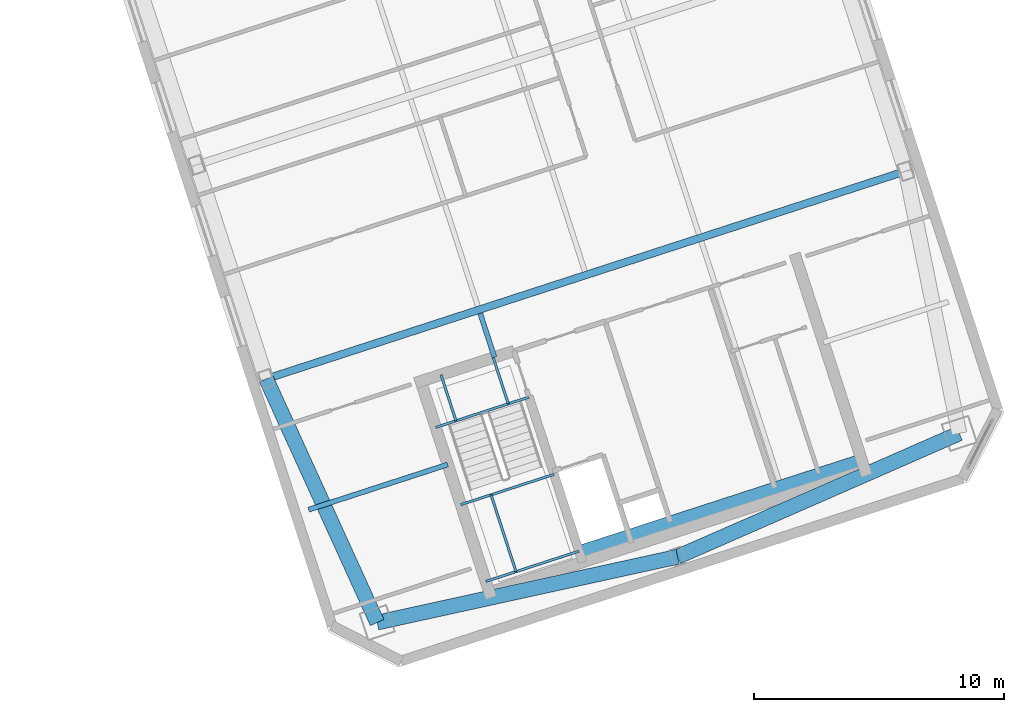
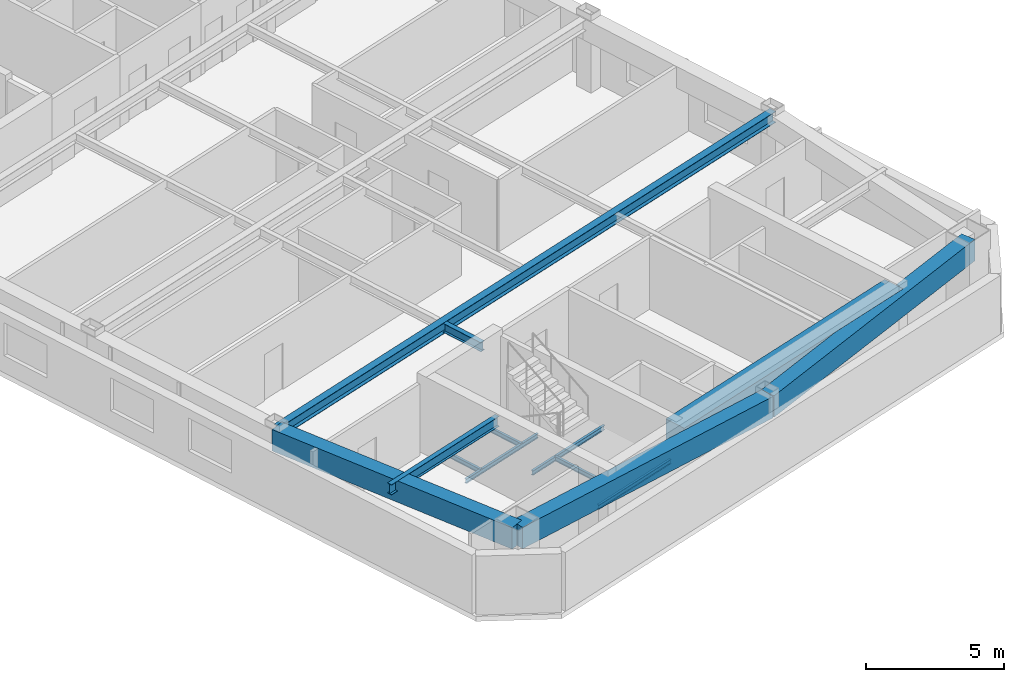
# One storey, part 9 of 20: 13 beams.
"""IFC4 building model written with IfcOpenShell, lengths in metres."""

from ifc_helpers import new_model, si_unit, direction, frame, origin, origin_2d, place, context, subcontext, project, spatial, rectangle, i_section, extrude, material, material_profile, profile_set, type_object, element, save


model = new_model("IFC4")

# Units and contexts
model_context = context("Model", 3, precision=1e-05, world=origin(), true_north=direction((0.0, 1.0)))
body_context = subcontext(model_context, "Body", "Model", "MODEL_VIEW")
ifc_project = project(units=[si_unit("LENGTHUNIT", "METRE"), si_unit("AREAUNIT", "SQUARE_METRE"), si_unit("VOLUMEUNIT", "CUBIC_METRE"), si_unit("PLANEANGLEUNIT", "RADIAN"), si_unit("MASSUNIT", "GRAM", prefix="KILO")], contexts=[model_context])

# Site, building, storey
site_placement = place(None, origin())
site = spatial("IfcSite", under=ifc_project, at=site_placement, CompositionType="ELEMENT")
building_placement = place(site_placement, origin())
building = spatial("IfcBuilding", under=site, at=building_placement, Name="Qiaolan Cultural Towers", CompositionType="ELEMENT")
storey_placement = place(building_placement, frame((0.0, 0.0, 223.10009765625)))
storey = spatial("IfcBuildingStorey", under=building, at=storey_placement, Name="L60", CompositionType="ELEMENT", Elevation=223.10009765625)

# Beams
ifc_material_1 = material(Name="Steel Q355B", Category="steel")
ifc_material_profile_1 = material_profile(ifc_material_1, i_section(OverallWidth=0.300048828125, OverallDepth=0.488037109375, WebThickness=0.010986328125, FlangeThickness=0.01806640625, at=origin_2d()), Name="HM488x300x11x18")
ifc_profile_set_1 = profile_set([ifc_material_profile_1], Name="Steel Q355B")
beam_type_1 = type_object("IfcBeamType", Name="BM-HM488x300x11x18", PredefinedType="BEAM", material=ifc_profile_set_1)
beam_1_placement = place(storey_placement, frame((79.989501953125, 21.2841796875, 2.94580078125), z_axis=(0.951056543098, 0.309016911884, 0.0), x_axis=(-0.309016911884, 0.951056543098, 0.0)))
element("IfcBeam", 1, at=beam_1_placement, inside=storey, type_object=beam_type_1, Name="L60 T2 Primary Transverse Girder V1", PredefinedType="BEAM", context=body_context, shape_type="SweptSolid", body=[
    extrude(i_section(OverallWidth=0.300048828125, OverallDepth=0.488037109375, WebThickness=0.010986328125, FlangeThickness=0.01806640625, at=origin_2d()), origin(), (0.0, 0.0, 1.0), 26.89990234375),
])
ifc_material_2 = material(Name="Steel Q355B", Category="steel")
ifc_material_profile_2 = material_profile(ifc_material_2, i_section(OverallWidth=0.199951171875, OverallDepth=0.39990234375, WebThickness=0.008056640625, FlangeThickness=0.012939453125, at=origin_2d()), Name="HN400x200x8x13")
ifc_profile_set_2 = profile_set([ifc_material_profile_2], Name="Steel Q355B")
beam_type_2 = type_object("IfcBeamType", Name="BM-JST-HN400x200x8x13", PredefinedType="JOIST", material=ifc_profile_set_2)
beam_2_placement = place(storey_placement, frame((89.119384765625, 22.147705078125, 2.989990234375), z_axis=(-0.308933885266, 0.951083516067, 0.0), x_axis=(-0.951083516067, -0.308933885266, 0.0)))
element("IfcBeam", 2, at=beam_2_placement, inside=storey, type_object=beam_type_2, Name="L60 T2 Secondary Floor Joist U1-1", PredefinedType="JOIST", context=body_context, shape_type="SweptSolid", body=[
    extrude(i_section(OverallWidth=0.199951171875, OverallDepth=0.39990234375, WebThickness=0.008056640625, FlangeThickness=0.012939453125, at=origin_2d()), origin(), (0.0, 0.0, 1.0), 1.85009765625),
])
ifc_material_3 = material(Name="Steel Q355B", Category="steel")
ifc_material_profile_3 = material_profile(ifc_material_3, i_section(OverallWidth=0.199951171875, OverallDepth=0.449951171875, WebThickness=0.009033203125, FlangeThickness=0.013916015625, at=origin_2d()), Name="HN450x200x9x14")
ifc_profile_set_3 = profile_set([ifc_material_profile_3], Name="Steel Q355B")
beam_type_3 = type_object("IfcBeamType", Name="BM-LNT-HN450x200x9x14", PredefinedType="LINTEL", material=ifc_profile_set_3)
beam_3_placement = place(storey_placement, frame((87.252685546875, 17.861083984375, 2.96484375), z_axis=(-0.951063813276, -0.308994535675, 0.0), x_axis=(0.308994535675, -0.951063813276, 0.0)))
element("IfcBeam", 3, at=beam_3_placement, inside=storey, type_object=beam_type_3, Name="L60 T2 Core Flank Tie Lintel WS", PredefinedType="LINTEL", context=body_context, shape_type="SweptSolid", body=[
    extrude(i_section(OverallWidth=0.199951171875, OverallDepth=0.449951171875, WebThickness=0.009033203125, FlangeThickness=0.013916015625, at=origin_2d()), origin(), (0.0, 0.0, 1.0), 5.85009765625),
])
ifc_material_4 = material(Name="Concrete C50", Category="concrete")
ifc_material_profile_4 = material_profile(ifc_material_4, rectangle(XDim=0.89990234375, YDim=1.10009765625, at=origin_2d()), Name="RC900x1100")
ifc_profile_set_4 = profile_set([ifc_material_profile_4], Name="Concrete C50")
beam_type_4 = type_object("IfcBeamType", Name="BM-RC900x1100", PredefinedType="BEAM", material=ifc_profile_set_4)
beam_4_placement = place(storey_placement, frame((92.572265625, 14.174560546875, 2.639892578125), z_axis=(0.951056266386, 0.309017763514, 0.0), x_axis=(-0.309017763514, 0.951056266386, 0.0)))
element("IfcBeam", 4, at=beam_4_placement, inside=storey, type_object=beam_type_4, Name="L60 T2 Core Header Girder S", PredefinedType="BEAM", context=body_context, shape_type="SweptSolid", body=[
    extrude(rectangle(XDim=0.89990234375, YDim=1.10009765625, at=origin_2d()), origin(), (0.0, 0.0, 1.0), 11.880126953125),
])
ifc_material_5 = material(Name="Concrete C50", Category="concrete")
ifc_material_profile_5 = material_profile(ifc_material_5, rectangle(XDim=0.60009765625, YDim=0.949951171875, at=origin_2d()), Name="RC600x950")
ifc_profile_set_5 = profile_set([ifc_material_profile_5], Name="Concrete C50")
beam_type_5 = type_object("IfcBeamType", Name="BM-SPD-RC600x950", PredefinedType="SPANDREL", material=ifc_profile_set_5)
beam_5_placement = place(storey_placement, frame((84.42822265625, 11.538818359375, 2.71484375), z_axis=(0.976843395078, 0.213955559619, 0.0), x_axis=(-0.213955559619, 0.976843395078, 0.0)))
element("IfcBeam", 5, at=beam_5_placement, inside=storey, type_object=beam_type_5, Name="L60 T2 Perimeter Spandrel Beam 1", PredefinedType="SPANDREL", context=body_context, shape_type="SweptSolid", body=[
    extrude(rectangle(XDim=0.60009765625, YDim=0.949951171875, at=origin_2d()), origin(), (0.0, 0.0, 1.0), 12.2998046875),
])
beam_6_placement = place(storey_placement, frame((96.443115234375, 14.17041015625, 2.71484375), z_axis=(0.916042038824, 0.401082264762, 0.0), x_axis=(-0.401082264762, 0.916042038824, 0.0)))
element("IfcBeam", 6, at=beam_6_placement, inside=storey, type_object=beam_type_5, Name="L60 T2 Perimeter Spandrel Beam 2", PredefinedType="SPANDREL", context=body_context, shape_type="SweptSolid", body=[
    extrude(rectangle(XDim=0.60009765625, YDim=0.949951171875, at=origin_2d()), origin(), (0.0, 0.0, 1.0), 12.299560546875),
])
beam_7_placement = place(storey_placement, frame((79.989501953125, 21.2841796875, 2.71484375), z_axis=(0.414500208282, -0.910049216985, 0.0), x_axis=(0.910049216985, 0.414500208282, 0.0)))
element("IfcBeam", 7, at=beam_7_placement, inside=storey, type_object=beam_type_5, Name="L60 T2 Perimeter Spandrel Beam 12", PredefinedType="SPANDREL", context=body_context, shape_type="SweptSolid", body=[
    extrude(rectangle(XDim=0.60009765625, YDim=0.949951171875, at=origin_2d()), origin(), (0.0, 0.0, 1.0), 10.70849609375),
])
ifc_material_6 = material(Name="Steel Q355B", Category="steel")
ifc_material_profile_6 = material_profile(ifc_material_6, i_section(OverallWidth=0.10009765625, OverallDepth=0.199951171875, WebThickness=0.005615234375, FlangeThickness=0.008056640625, at=origin_2d()), Name="HN200x100x5.5x8")
ifc_profile_set_6 = profile_set([ifc_material_profile_6], Name="Steel Q355B")
beam_type_6 = type_object("IfcBeamType", Name="BM-STTRIM-200", PredefinedType="BEAM", material=ifc_profile_set_6)
beam_8_placement = place(storey_placement, frame((86.770751953125, 19.3447265625, -0.460205078125), z_axis=(0.951047798727, 0.309043823005, 0.0), x_axis=(-0.309043823005, 0.951047798727, 0.0)))
element("IfcBeam", 8, at=beam_8_placement, inside=storey, type_object=beam_type_6, Name="L60 ST-E1 Floor Landing Header Beam", PredefinedType="BEAM", context=body_context, shape_type="SweptSolid", body=[
    extrude(i_section(OverallWidth=0.10009765625, OverallDepth=0.199951171875, WebThickness=0.005615234375, FlangeThickness=0.008056640625, at=origin_2d()), origin(), (0.0, 0.0, 1.0), 3.919921875),
])
for number, where, z_axis, x_axis, name in (
    (9, (86.9794921875, 21.452392578125, -0.460205078125), (0.309083226701, -0.951034993558, 0.0), (0.951034993558, 0.309083226701, 0.0), "L60 ST-E1 Floor Landing Stringer 1"),
    (10, (89.07177734375, 22.13232421875, -0.460205078125), (0.309083226701, -0.951034993558, 0.0), (0.951034993558, 0.309083226701, 0.0), "L60 ST-E1 Floor Landing Stringer 2"),
):
    element("IfcBeam", number, at=place(storey_placement, frame(where, z_axis=z_axis, x_axis=x_axis)), inside=storey, type_object=beam_type_6, Name=name, PredefinedType="BEAM", context=body_context, shape_type="SweptSolid", body=[
        extrude(i_section(OverallWidth=0.10009765625, OverallDepth=0.199951171875, WebThickness=0.005615234375, FlangeThickness=0.008056640625, at=origin_2d()), origin(), (0.0, 0.0, 1.0), 1.93994140625),
    ])
for number, where, z_axis, x_axis, name in (
    (11, (87.774658203125, 16.255126953125, 1.4248046875), (0.951047798727, 0.309043823005, 0.0), (-0.309043823005, 0.951047798727, 0.0), "L60 ST-E1 Stair Landing Support Beam 1-1"),
    (12, (88.773193359375, 13.181884765625, 1.4248046875), (0.951047798727, 0.309043823005, 0.0), (-0.309043823005, 0.951047798727, 0.0), "L60 ST-E1 Stair Landing Support Beam 1-2"),
):
    element("IfcBeam", number, at=place(storey_placement, frame(where, z_axis=z_axis, x_axis=x_axis)), inside=storey, type_object=beam_type_6, Name=name, PredefinedType="BEAM", context=body_context, shape_type="SweptSolid", body=[
        extrude(i_section(OverallWidth=0.10009765625, OverallDepth=0.199951171875, WebThickness=0.005615234375, FlangeThickness=0.008056640625, at=origin_2d()), origin(), (0.0, 0.0, 1.0), 3.919921875),
    ])
beam_9_placement = place(storey_placement, frame((88.982421875, 16.6474609375, 1.4248046875), z_axis=(0.309033108495, -0.951051280349, 0.0), x_axis=(0.951051280349, 0.309033108495, 0.0)))
element("IfcBeam", 13, at=beam_9_placement, inside=storey, type_object=beam_type_6, Name="L60 ST-E1 Stair Landing Trimmer 1", PredefinedType="BEAM", context=body_context, shape_type="SweptSolid", body=[
    extrude(i_section(OverallWidth=0.10009765625, OverallDepth=0.199951171875, WebThickness=0.005615234375, FlangeThickness=0.008056640625, at=origin_2d()), origin(), (0.0, 0.0, 1.0), 3.231201171875),
])

save(model, "model.ifc")
